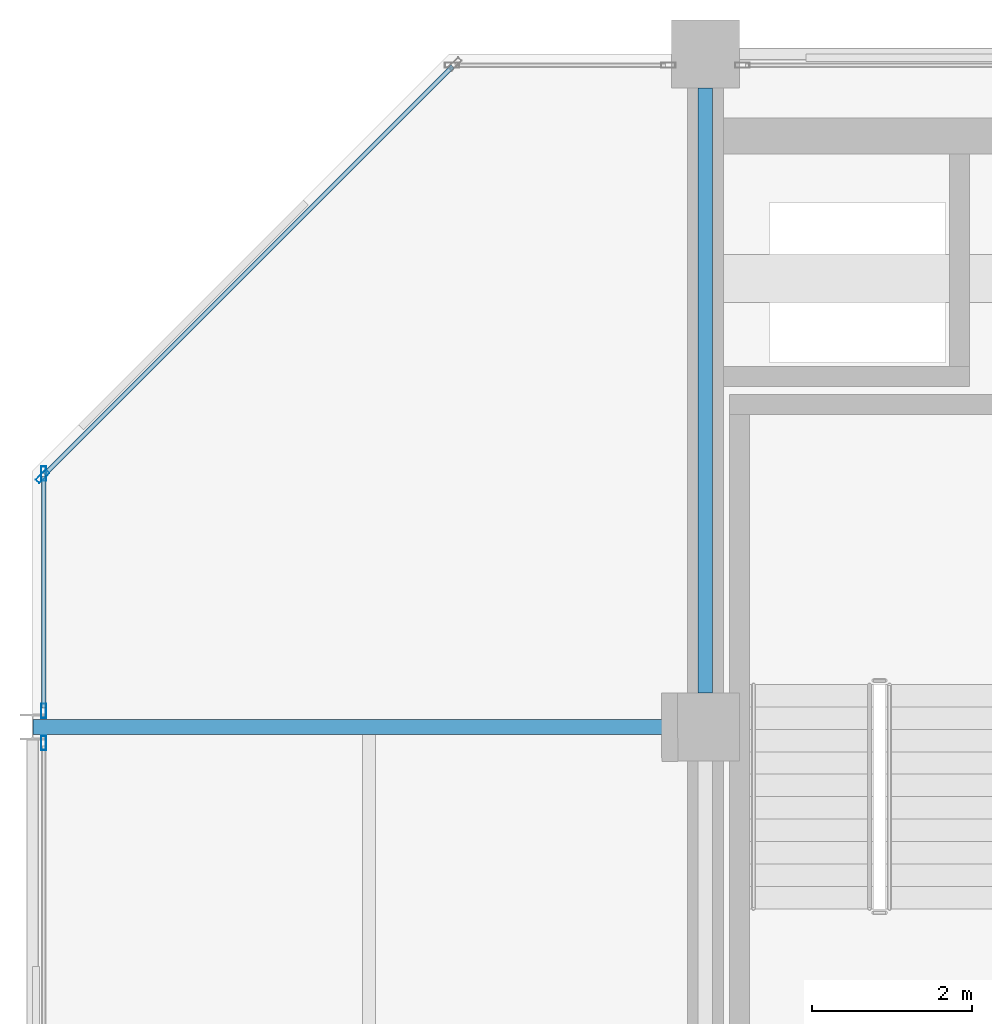
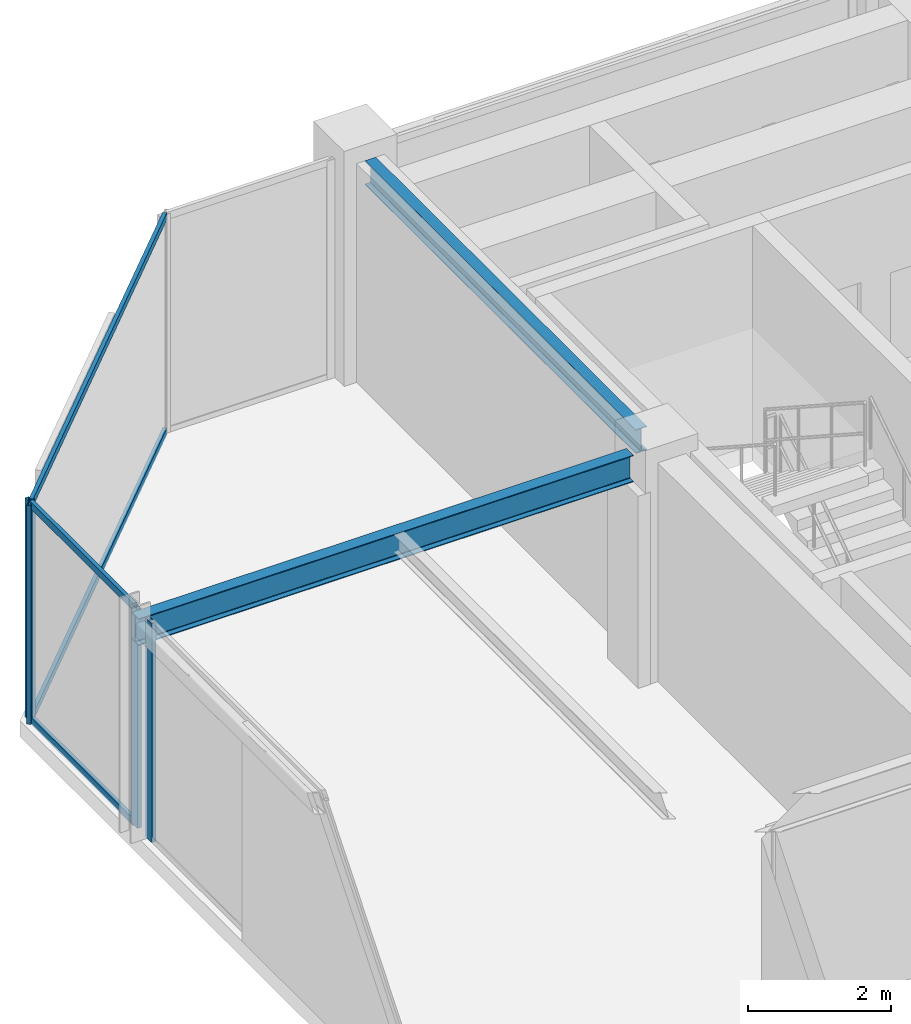
# One storey, part 17 of 26: 8 members, 2 beams, 3 elements without a shape of their own.
"""IFC4 building model written with IfcOpenShell, lengths in metres."""

import ifcopenshell
import ifcopenshell.guid

model = None  # the IFC model being written
_history = None  # IfcOwnerHistory: only IFC2X3 demands one
_inside = {}  # id of a spatial element -> (the spatial element, [elements in it])
_under = {}  # id of a project, library or spatial element -> (it, [spatial elements below it])
_declared = {}  # id of a project -> (the project, [libraries it declares])
_typed = {}  # id of a type object -> (the type object, [elements of that type])
_made_of = {}  # id of a material, layer set ... -> (it, [elements and type objects made of it])


def new_model(schema):
    """Start an empty IFC model of exactly this schema.

    Asked for "IFC4X3", IfcOpenShell would pick the latest addendum, in which some entities
    have other attributes; the version numbers below select the first issue.
    IFC2X3 requires an IfcOwnerHistory on every rooted entity: one is made here for all.
    """
    global model, _history
    if schema == "IFC4X3":
        model = ifcopenshell.file(schema_version=(4, 3, 0, 0))
    else:
        model = ifcopenshell.file(schema=schema)
    _inside.clear()
    _under.clear()
    _declared.clear()
    _typed.clear()
    _made_of.clear()
    _history = None
    if model.schema == "IFC2X3":
        org = make("IfcOrganization", Name="unknown")
        user = make(
            "IfcPersonAndOrganization",
            ThePerson=make("IfcPerson", FamilyName="unknown"),
            TheOrganization=org,
        )
        app = make(
            "IfcApplication",
            ApplicationDeveloper=org,
            Version="unknown",
            ApplicationFullName="unknown",
            ApplicationIdentifier="unknown",
        )
        _history = make(
            "IfcOwnerHistory",
            OwningUser=user,
            OwningApplication=app,
            ChangeAction="ADDED",
            CreationDate=0,
        )
    return model


def make(cls, **values):
    """One entity of the class cls with the attributes given. An attribute that is None is left unset."""
    return model.create_entity(
        cls, **{name: value for name, value in values.items() if value is not None}
    )


def rooted(cls, **values):
    """An entity with a GlobalId (a new one), such as an element, a storey or a relation."""
    return make(cls, GlobalId=ifcopenshell.guid.new(), OwnerHistory=_history, **values)


def si_unit(unit_type, name, prefix=None):
    """IfcSIUnit, for example si_unit("LENGTHUNIT", "METRE", prefix="MILLI")."""
    return make("IfcSIUnit", UnitType=unit_type, Prefix=prefix, Name=name)


def assignment(units):
    """IfcUnitAssignment: the units of a project."""
    return None if units is None else make("IfcUnitAssignment", Units=units)


def point(xyz):
    """IfcCartesianPoint."""
    return None if xyz is None else make("IfcCartesianPoint", Coordinates=xyz)


def direction(xyz):
    """IfcDirection."""
    return None if xyz is None else make("IfcDirection", DirectionRatios=xyz)


def frame(location, z_axis=None, x_axis=None):
    """IfcAxis2Placement3D, a coordinate frame: its origin and axes. An axis left out is left unset."""
    return make(
        "IfcAxis2Placement3D",
        Location=point(location),
        Axis=direction(z_axis),
        RefDirection=direction(x_axis),
    )


def frame_2d(location, x_axis=None):
    """IfcAxis2Placement2D, a coordinate frame in the plane: its origin and x axis."""
    return make(
        "IfcAxis2Placement2D", Location=point(location), RefDirection=direction(x_axis)
    )


def origin():
    """The frame at (0, 0, 0) with its axes left unset."""
    return frame((0.0, 0.0, 0.0))


def origin_2d():
    """The frame at (0, 0) in the plane with its x axis left unset."""
    return frame_2d((0.0, 0.0))


def place(relative_to, where):
    """IfcLocalPlacement: puts the frame where relative to a parent placement (None: the world)."""
    return make(
        "IfcLocalPlacement", PlacementRelTo=relative_to, RelativePlacement=where
    )


def context(
    kind, dimensions, precision=None, world=None, true_north=None, identifier=None
):
    """IfcGeometricRepresentationContext, for example the 3D "Model" context."""
    return make(
        "IfcGeometricRepresentationContext",
        ContextIdentifier=identifier,
        ContextType=kind,
        CoordinateSpaceDimension=dimensions,
        Precision=precision,
        WorldCoordinateSystem=world,
        TrueNorth=true_north,
    )


def subcontext(parent, identifier, kind, view, scale=None):
    """IfcGeometricRepresentationSubContext, for example "Body" below "Model"."""
    return make(
        "IfcGeometricRepresentationSubContext",
        ContextIdentifier=identifier,
        ContextType=kind,
        ParentContext=parent,
        TargetScale=scale,
        TargetView=view,
    )


def project(units=None, contexts=None):
    """IfcProject with its units and contexts."""
    return rooted(
        "IfcProject",
        Name="project",
        RepresentationContexts=contexts,
        UnitsInContext=assignment(units),
    )


def spatial(cls, under=None, at=None, **own):
    """A site, building, storey or space (cls), placed at a placement, below another one or the project."""
    s = rooted(cls, ObjectPlacement=at, **own)
    if under is not None:
        _under.setdefault(under.id(), (under, []))[1].append(s)
    return s


def profile(cls, at=None, kind="AREA", **sizes):
    """A parametric profile (cls). Its sizes go by their IFC names, for example OverallWidth=200.0."""
    return make(cls, ProfileType=kind, Position=at, **sizes)


def hollow_rectangle(**sizes):
    """IfcRectangleHollowProfileDef."""
    return profile("IfcRectangleHollowProfileDef", **sizes)


def i_section(**sizes):
    """IfcIShapeProfileDef."""
    return profile("IfcIShapeProfileDef", **sizes)


def extrude(swept, where, along, depth):
    """IfcExtrudedAreaSolid: the profile swept, set in the frame where, extruded along a direction by depth."""
    return make(
        "IfcExtrudedAreaSolid",
        SweptArea=swept,
        Position=where,
        ExtrudedDirection=direction(along),
        Depth=depth,
    )


def shape(context_of_items, identifier, shape_type, items):
    """IfcShapeRepresentation: the items that make up one representation, for example the "Body"."""
    return make(
        "IfcShapeRepresentation",
        ContextOfItems=context_of_items,
        RepresentationIdentifier=identifier,
        RepresentationType=shape_type,
        Items=items,
    )


def material(Name=None, Category=None):
    """IfcMaterial."""
    return make("IfcMaterial", Name=Name, Category=Category)


def layer(
    of_material, thickness, ventilated=None, Name=None, Category=None, Priority=None
):
    """IfcMaterialLayer: one layer of a wall or slab, of a material (None: an air gap)."""
    return make(
        "IfcMaterialLayer",
        Material=of_material,
        LayerThickness=thickness,
        IsVentilated=ventilated,
        Name=Name,
        Category=Category,
        Priority=Priority,
    )


def layer_set(layers, Name=None):
    """IfcMaterialLayerSet."""
    return make("IfcMaterialLayerSet", MaterialLayers=layers, LayerSetName=Name)


def material_profile(
    of_material, cross_section, Name=None, Category=None, Priority=None
):
    """IfcMaterialProfile: a cross section and its material."""
    return make(
        "IfcMaterialProfile",
        Name=Name,
        Material=of_material,
        Profile=cross_section,
        Priority=Priority,
        Category=Category,
    )


def profile_set(profiles, Name=None, composite=None):
    """IfcMaterialProfileSet."""
    return make(
        "IfcMaterialProfileSet",
        Name=Name,
        MaterialProfiles=profiles,
        CompositeProfile=composite,
    )


def made_of(thing, what):
    """Note that an element or type object is made of a material, layer set ...; save() writes the relation."""
    if what is not None:
        _made_of.setdefault(what.id(), (what, []))[1].append(thing)
    return thing


def type_object(cls, material=None, **own):
    """A type object (cls), such as IfcWallType, which elements share."""
    return made_of(rooted(cls, **own), material)


def element(
    cls,
    number,
    at=None,
    inside=None,
    cuts=None,
    type_object=None,
    material=None,
    context=None,
    identifier="Body",
    shape_type=None,
    held_by="IfcProductDefinitionShape",
    body=None,
    shapes=None,
    **own,
):
    """One element of the class cls, such as IfcWall. Its Tag is "e" and its number.

    at: its placement. inside: the storey or other place that contains it. cuts: it is an
    opening in that element (IfcRelVoidsElement). A single representation is given by context,
    identifier, shape_type and body (its items); several are given by shapes. held_by: the class
    of the entity that holds the representations. save() writes the other relations.
    """
    e = rooted(cls, Tag="e%d" % number, ObjectPlacement=at, **own)
    if body is not None:
        shapes = [shape(context, identifier, shape_type, body)]
    if shapes is not None:
        e.Representation = make(held_by, Representations=shapes)
    if inside is not None:
        _inside.setdefault(inside.id(), (inside, []))[1].append(e)
    if cuts is not None:
        rooted(
            "IfcRelVoidsElement", RelatingBuildingElement=cuts, RelatedOpeningElement=e
        )
    if type_object is not None:
        _typed.setdefault(type_object.id(), (type_object, []))[1].append(e)
    return made_of(e, material)


def aggregate(whole, parts):
    """IfcRelAggregates: a whole, such as a stair, and the parts it consists of."""
    return rooted("IfcRelAggregates", RelatingObject=whole, RelatedObjects=parts)


def save(model, path):
    """Write the relations noted so far, then the file.

    IfcRelAggregates (storeys below a building ...), IfcRelContainedInSpatialStructure (elements
    in a storey), IfcRelDefinesByType, IfcRelAssociatesMaterial and IfcRelDeclares: one each for
    every whole, place, type object, material and project.
    """
    for whole, parts in _under.values():
        aggregate(whole, parts)
    for where, things in _inside.values():
        rooted(
            "IfcRelContainedInSpatialStructure",
            RelatedElements=things,
            RelatingStructure=where,
        )
    for kind, things in _typed.values():
        rooted("IfcRelDefinesByType", RelatedObjects=things, RelatingType=kind)
    for what, things in _made_of.values():
        rooted("IfcRelAssociatesMaterial", RelatedObjects=things, RelatingMaterial=what)
    for by, libraries in _declared.values():
        rooted("IfcRelDeclares", RelatingContext=by, RelatedDefinitions=libraries)
    model.write(path)


model = new_model("IFC4")

# Units and contexts
model_context = context("Model", 3, precision=1e-05, world=origin(), true_north=direction((0.0, 1.0)))
body_context = subcontext(model_context, "Body", "Model", "MODEL_VIEW")
ifc_project = project(units=[si_unit("LENGTHUNIT", "METRE"), si_unit("AREAUNIT", "SQUARE_METRE"), si_unit("VOLUMEUNIT", "CUBIC_METRE"), si_unit("PLANEANGLEUNIT", "RADIAN"), si_unit("MASSUNIT", "GRAM", prefix="KILO")], contexts=[model_context])

# Site, building, storey
site_placement = place(None, origin())
site = spatial("IfcSite", under=ifc_project, at=site_placement, CompositionType="ELEMENT")
building_placement = place(site_placement, origin())
building = spatial("IfcBuilding", under=site, at=building_placement, Name="Nerrivon Quay Data Exchange", CompositionType="ELEMENT")
storey_placement = place(building_placement, frame((0.0, 0.0, 258.199951171875)))
storey = spatial("IfcBuildingStorey", under=building, at=storey_placement, Name="L61", CompositionType="ELEMENT", Elevation=258.199951171875)

# Beams
ifc_material_1 = material(Name="Steel Grade 350", Category="steel")
ifc_material_profile_1 = material_profile(ifc_material_1, i_section(OverallWidth=0.18994140625, OverallDepth=0.4541015625, WebThickness=0.008544921875, FlangeThickness=0.0126953125, FilletRadius=0.011474609375, at=origin_2d()), Name="460UB67.1")
ifc_profile_set_1 = profile_set([ifc_material_profile_1], Name="Steel Grade 350")
beam_type_1 = type_object("IfcBeamType", Name="BM-G6-460UB67", PredefinedType="BEAM", material=ifc_profile_set_1)
beam_1_placement = place(storey_placement, frame((0.0078125, 33.60009765625, 3.498046875), z_axis=(1.0, 0.0, 0.0), x_axis=(0.0, 1.0, 0.0)))
element("IfcBeam", 1, at=beam_1_placement, inside=storey, type_object=beam_type_1, Name="L61 EW Girder Y=33.6 (0.0..8.4)", PredefinedType="BEAM", context=body_context, shape_type="SweptSolid", body=[
    extrude(i_section(OverallWidth=0.18994140625, OverallDepth=0.4541015625, WebThickness=0.008544921875, FlangeThickness=0.0126953125, FilletRadius=0.011474609375, at=origin_2d()), origin(), (0.0, 0.0, 1.0), 7.96728515625),
])
ifc_material_profile_2 = material_profile(ifc_material_1, i_section(OverallWidth=0.177978515625, OverallDepth=0.406005859375, WebThickness=0.0078125, FlangeThickness=0.0126953125, FilletRadius=0.011474609375, at=origin_2d()), Name="410UB59.7")
ifc_profile_set_2 = profile_set([ifc_material_profile_2], Name="Steel Grade 350")
beam_type_2 = type_object("IfcBeamType", Name="BM-J1-410UB60", PredefinedType="JOIST", material=ifc_profile_set_2)
beam_2_placement = place(storey_placement, frame((8.39990234375, 34.02490234375, 3.52197265625), z_axis=(0.0, 1.0, 0.0), x_axis=(-1.0, 0.0, 0.0)))
element("IfcBeam", 2, at=beam_2_placement, inside=storey, type_object=beam_type_2, Name="L61 NS Girder X=8.4 (33.6..42.0)", PredefinedType="JOIST", context=body_context, shape_type="SweptSolid", body=[
    extrude(i_section(OverallWidth=0.177978515625, OverallDepth=0.406005859375, WebThickness=0.0078125, FlangeThickness=0.0126953125, FilletRadius=0.011474609375, at=origin_2d()), origin(), (0.0, 0.0, 1.0), 7.550048828125),
])

# Curtain wall, member
ifc_material_2 = material(Name="Anodised aluminium 6063-T6", Category="aluminium")
ifc_layer = layer(ifc_material_2, 0.195068359375)
ifc_layer_set = layer_set([ifc_layer], Name="Anodised aluminium 6063-T6")
curtain_wall_type = type_object("IfcCurtainWallType", Name="CW-SYS-06", PredefinedType="NOTDEFINED", material=ifc_layer_set)
curtain_wall_1_placement = place(storey_placement, origin())
curtain_wall_1 = element("IfcCurtainWall", 3, at=curtain_wall_1_placement, inside=storey, type_object=curtain_wall_type, Name="L61 Unitised Curtain Wall 14", PredefinedType="NOTDEFINED")
ifc_material_profile_3 = material_profile(ifc_material_2, hollow_rectangle(XDim=0.06494140625, YDim=0.179931640625, WallThickness=0.00341796875, at=origin_2d()), Name="ALU-MULL-180x65")
ifc_profile_set_3 = profile_set([ifc_material_profile_3], Name="Anodised aluminium 6063-T6")
member_type_1 = type_object("IfcMemberType", Name="CWM-180x65", PredefinedType="MULLION", material=ifc_profile_set_3)
member_1_placement = place(storey_placement, frame((0.139892578125, 33.39892578125, 0.0), z_axis=(0.0, 0.0, 1.0), x_axis=(-1.0, 0.0, 0.0)))
member_1 = element("IfcMember", 4, at=member_1_placement, type_object=member_type_1, Name="CW06 mullion 2", PredefinedType="MULLION", context=body_context, shape_type="SweptSolid", body=[
    extrude(hollow_rectangle(XDim=0.06494140625, YDim=0.179931640625, WallThickness=0.00341796875, at=origin_2d()), origin(), (0.0, 0.0, 1.0), 3.72509765625),
])
aggregate(curtain_wall_1, [member_1])

# Curtain wall, members
curtain_wall_2_placement = place(storey_placement, origin())
curtain_wall_2 = element("IfcCurtainWall", 5, at=curtain_wall_2_placement, inside=storey, type_object=curtain_wall_type, Name="L61 Unitised Curtain Wall 15", PredefinedType="NOTDEFINED")
member_2_placement = place(storey_placement, frame((0.139892578125, 33.801025390625, 0.0), z_axis=(0.0, 0.0, 1.0), x_axis=(-1.0, 0.0, 0.0)))
member_2 = element("IfcMember", 6, at=member_2_placement, type_object=member_type_1, Name="CW06 mullion 1", PredefinedType="MULLION", context=body_context, shape_type="SweptSolid", body=[
    extrude(hollow_rectangle(XDim=0.06494140625, YDim=0.179931640625, WallThickness=0.00341796875, at=origin_2d()), origin(), (0.0, 0.0, 1.0), 3.72509765625),
])
member_3_placement = place(storey_placement, frame((0.139892578125, 36.762451171875, 0.0), z_axis=(0.0, 0.0, 1.0), x_axis=(-1.0, 0.0, 0.0)))
member_3 = element("IfcMember", 7, at=member_3_placement, type_object=member_type_1, Name="CW06 mullion 2", PredefinedType="MULLION", context=body_context, shape_type="SweptSolid", body=[
    extrude(hollow_rectangle(XDim=0.06494140625, YDim=0.179931640625, WallThickness=0.00341796875, at=origin_2d()), origin(), (0.0, 0.0, 1.0), 3.72509765625),
])

# Curtain wall, member
curtain_wall_3_placement = place(storey_placement, origin())
curtain_wall_3 = element("IfcCurtainWall", 8, at=curtain_wall_3_placement, inside=storey, type_object=curtain_wall_type, Name="L61 Unitised Curtain Wall 16", PredefinedType="NOTDEFINED")
member_4_placement = place(storey_placement, frame((0.12548828125, 36.7275390625, 0.0), z_axis=(0.0, 0.0, 1.0), x_axis=(-0.707106781187, 0.707106781187, 0.0)))
member_4 = element("IfcMember", 9, at=member_4_placement, type_object=member_type_1, Name="CW06 mullion 1", PredefinedType="MULLION", context=body_context, shape_type="SweptSolid", body=[
    extrude(hollow_rectangle(XDim=0.06494140625, YDim=0.179931640625, WallThickness=0.00341796875, at=origin_2d()), origin(), (0.0, 0.0, 1.0), 3.72509765625),
])

# Member
ifc_material_profile_4 = material_profile(ifc_material_2, hollow_rectangle(XDim=0.06005859375, YDim=0.1201171875, WallThickness=0.003173828125, at=origin_2d()), Name="ALU-TRAN-120x60")
ifc_profile_set_4 = profile_set([ifc_material_profile_4], Name="Anodised aluminium 6063-T6")
member_type_2 = type_object("IfcMemberType", Name="CWT-120x60", PredefinedType="USERDEFINED", material=ifc_profile_set_4)
member_5_placement = place(storey_placement, frame((0.139892578125, 33.83837890625, 0.032470703125), z_axis=(0.0, 1.0, 0.0), x_axis=(-1.0, 0.0, 0.0)))
member_5 = element("IfcMember", 10, at=member_5_placement, type_object=member_type_2, Name="CW06 transom 1.1", ObjectType="TRANSOM", PredefinedType="USERDEFINED", context=body_context, shape_type="SweptSolid", body=[
    extrude(hollow_rectangle(XDim=0.06005859375, YDim=0.1201171875, WallThickness=0.003173828125, at=origin_2d()), origin(), (0.0, 0.0, 1.0), 2.88671875),
])

member_6_placement = place(storey_placement, frame((0.139892578125, 33.83837890625, 3.692626953125), z_axis=(0.0, 1.0, 0.0), x_axis=(-1.0, 0.0, 0.0)))
member_6 = element("IfcMember", 11, at=member_6_placement, type_object=member_type_2, Name="CW06 transom 1.2", ObjectType="TRANSOM", PredefinedType="USERDEFINED", context=body_context, shape_type="SweptSolid", body=[
    extrude(hollow_rectangle(XDim=0.06005859375, YDim=0.1201171875, WallThickness=0.003173828125, at=origin_2d()), origin(), (0.0, 0.0, 1.0), 2.88671875),
])

aggregate(curtain_wall_2, [member_2, member_3, member_5, member_6])

member_7_placement = place(storey_placement, frame((0.152099609375, 36.754150390625, 0.032470703125), z_axis=(0.707106781187, 0.707106781187, 0.0), x_axis=(-0.707106781187, 0.707106781187, 0.0)))
member_7 = element("IfcMember", 12, at=member_7_placement, type_object=member_type_2, Name="CW06 transom 1.1", ObjectType="TRANSOM", PredefinedType="USERDEFINED", context=body_context, shape_type="SweptSolid", body=[
    extrude(hollow_rectangle(XDim=0.06005859375, YDim=0.1201171875, WallThickness=0.003173828125, at=origin_2d()), origin(), (0.0, 0.0, 1.0), 7.20361328125),
])

member_8_placement = place(storey_placement, frame((0.152099609375, 36.754150390625, 3.692626953125), z_axis=(0.707106781187, 0.707106781187, 0.0), x_axis=(-0.707106781187, 0.707106781187, 0.0)))
member_8 = element("IfcMember", 13, at=member_8_placement, type_object=member_type_2, Name="CW06 transom 1.2", ObjectType="TRANSOM", PredefinedType="USERDEFINED", context=body_context, shape_type="SweptSolid", body=[
    extrude(hollow_rectangle(XDim=0.06005859375, YDim=0.1201171875, WallThickness=0.003173828125, at=origin_2d()), origin(), (0.0, 0.0, 1.0), 7.20361328125),
])

aggregate(curtain_wall_3, [member_4, member_7, member_8])

save(model, "model.ifc")
